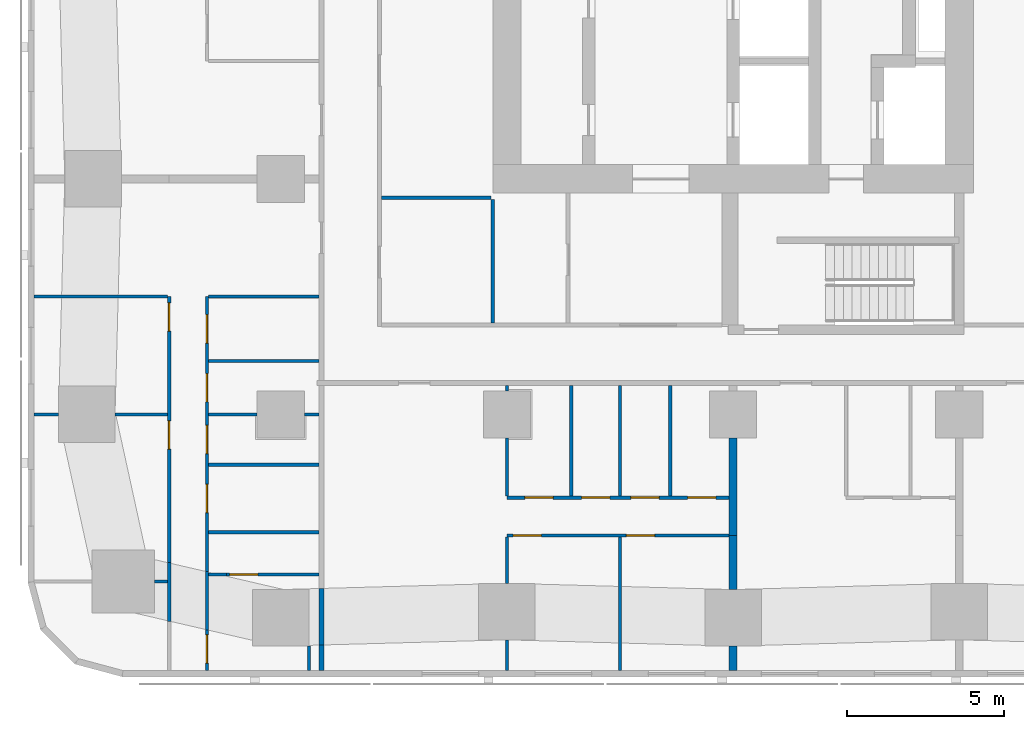
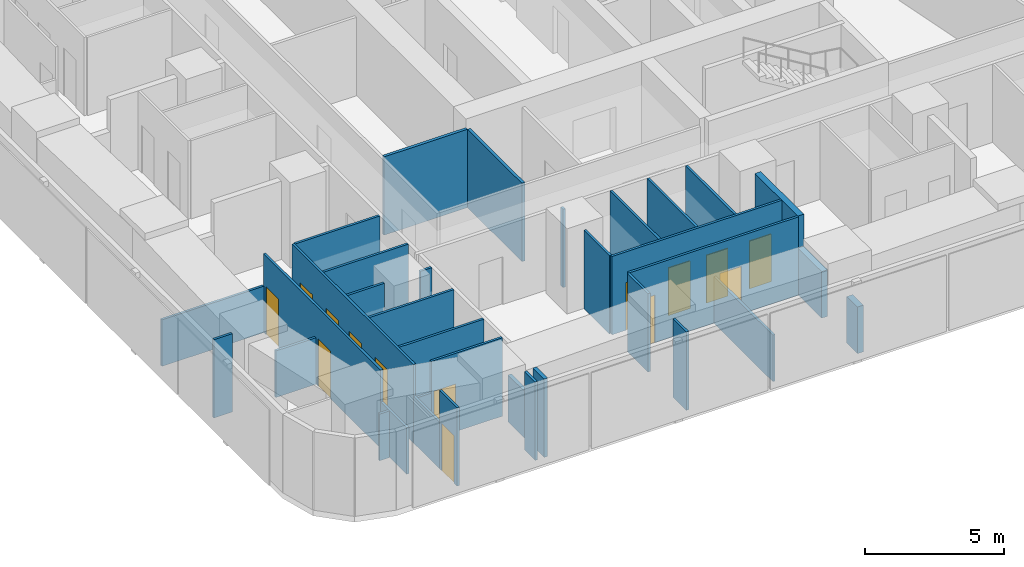
# One storey, part 2 of 15: 35 walls, 14 doors, 14 openings.
"""IFC4 building model written with IfcOpenShell, lengths in metres."""

from ifc_helpers import new_model, si_unit, direction, frame, frame_2d, origin, place, context, subcontext, project, spatial, rectangle, extrude, material, layer, layer_set, type_object, element, fill, save


model = new_model("IFC4")

# Units and contexts
model_context = context("Model", 3, precision=1e-05, world=origin(), true_north=direction((0.0, 1.0)))
body_context = subcontext(model_context, "Body", "Model", "MODEL_VIEW")
ifc_project = project(units=[si_unit("LENGTHUNIT", "METRE"), si_unit("AREAUNIT", "SQUARE_METRE"), si_unit("VOLUMEUNIT", "CUBIC_METRE"), si_unit("PLANEANGLEUNIT", "RADIAN"), si_unit("MASSUNIT", "GRAM", prefix="KILO")], contexts=[model_context])

# Site, building, storey
site_placement = place(None, origin())
site = spatial("IfcSite", under=ifc_project, at=site_placement, CompositionType="ELEMENT")
building_placement = place(site_placement, origin())
building = spatial("IfcBuilding", under=site, at=building_placement, Name="Sheger Commons Tower", CompositionType="ELEMENT")
storey_placement = place(building_placement, frame((0.0, 0.0, 184.550048828125)))
storey = spatial("IfcBuildingStorey", under=building, at=storey_placement, Name="L47", CompositionType="ELEMENT", Elevation=184.550048828125)

# Walls
ifc_material_1 = material(Name="Hollow concrete block masonry, skimmed both sides", Category="masonry")
ifc_layer_1 = layer(ifc_material_1, 0.14990234375)
ifc_layer_set_1 = layer_set([ifc_layer_1], Name="CORRIDOR WALL 150")
wall_type_1 = type_object("IfcWallType", Name="CORRIDOR WALL 150", PredefinedType="SOLIDWALL", material=ifc_layer_set_1)
wall_1_placement = place(storey_placement, frame((8.5, -0.64990234375, 0.0), z_axis=(0.0, 0.0, 1.0), x_axis=(0.0, 1.0, 0.0)))
element("IfcWall", 1, at=wall_1_placement, inside=storey, type_object=wall_type_1, Name="Corridor wall L47", PredefinedType="SOLIDWALL", context=body_context, shape_type="SweptSolid", body=[
    extrude(rectangle(XDim=0.808837890625, YDim=0.14990234375, at=frame_2d((0.404296875, 0.0))), origin(), (0.0, 0.0, 1.0), 3.449951171875),
])
wall_2_placement = place(storey_placement, frame((8.5, 0.158935546875, 0.0), z_axis=(0.0, 0.0, 1.0), x_axis=(0.0, 1.0, 0.0)))
element("IfcWall", 2, at=wall_2_placement, inside=storey, type_object=wall_type_1, Name="Corridor wall L47", PredefinedType="SOLIDWALL", context=body_context, shape_type="SweptSolid", body=[
    extrude(rectangle(XDim=1.80517578125, YDim=0.14990234375, at=frame_2d((0.902587890625, 0.0))), origin(), (0.0, 0.0, 1.0), 2.050048828125),
])
ifc_material_2 = material(Name="Dense concrete block masonry, plastered both sides (separating wall between flats)", Category="masonry")
ifc_layer_2 = layer(ifc_material_2, 0.25)
ifc_layer_set_2 = layer_set([ifc_layer_2], Name="DEMISING WALL 250")
wall_type_2 = type_object("IfcWallType", Name="DEMISING WALL 250", PredefinedType="SOLIDWALL", material=ifc_layer_set_2)
wall_3_placement = place(storey_placement, frame((21.60009765625, -0.64990234375, 0.0), z_axis=(0.0, 0.0, 1.0), x_axis=(0.0, 1.0, 0.0)))
element("IfcWall", 3, at=wall_3_placement, inside=storey, type_object=wall_type_2, Name="Demising wall L47", PredefinedType="SOLIDWALL", context=body_context, shape_type="SweptSolid", body=[
    extrude(rectangle(XDim=0.77392578125, YDim=0.25, at=frame_2d((0.386962890625, 0.0))), origin(), (0.0, 0.0, 1.0), 2.050048828125),
])
wall_4_placement = place(storey_placement, frame((21.60009765625, 1.926025390625, 0.0), z_axis=(0.0, 0.0, 1.0), x_axis=(0.0, 1.0, 0.0)))
element("IfcWall", 4, at=wall_4_placement, inside=storey, type_object=wall_type_2, Name="Demising wall L47", PredefinedType="SOLIDWALL", context=body_context, shape_type="SweptSolid", body=[
    extrude(rectangle(XDim=1.723876953125, YDim=0.25, at=frame_2d((0.86181640625, 0.0))), origin(), (0.0, 0.0, 1.0), 2.050048828125),
])
wall_5_placement = place(storey_placement, frame((21.60009765625, 3.64990234375, 0.0), z_axis=(0.0, 0.0, 1.0), x_axis=(0.0, 1.0, 0.0)))
element("IfcWall", 5, at=wall_5_placement, inside=storey, type_object=wall_type_2, Name="Demising wall L47", PredefinedType="SOLIDWALL", context=body_context, shape_type="SweptSolid", body=[
    extrude(rectangle(XDim=3.09912109375, YDim=0.25, at=frame_2d((1.549560546875, 0.0))), origin(), (0.0, 0.0, 1.0), 3.449951171875),
])
ifc_material_3 = material(Name="Gypsum board on steel studs", Category="steel")
ifc_layer_3 = layer(ifc_material_3, 0.10009765625)
ifc_layer_set_3 = layer_set([ifc_layer_3], Name="PARTITION 100")
wall_type_3 = type_object("IfcWallType", Name="PARTITION 100", PredefinedType="PARTITIONING", material=ifc_layer_set_3)
wall_6_placement = place(storey_placement, frame((8.10009765625, 0.1240234375, 0.0), z_axis=(0.0, 0.0, 1.0), x_axis=(0.0, -1.0, 0.0)))
element("IfcWall", 6, at=wall_6_placement, inside=storey, type_object=wall_type_3, Name="Partition L47", PredefinedType="PARTITIONING", context=body_context, shape_type="SweptSolid", body=[
    extrude(rectangle(XDim=0.77392578125, YDim=0.10009765625, at=frame_2d((0.386962890625, 0.0))), origin(), (0.0, 0.0, 1.0), 3.449951171875),
])
wall_7_placement = place(storey_placement, frame((3.64990234375, 0.912109375, 0.0), z_axis=(0.0, 0.0, 1.0), x_axis=(0.0, 1.0, 0.0)))
element("IfcWall", 7, at=wall_7_placement, inside=storey, type_object=wall_type_3, Name="Partition L47", PredefinedType="PARTITIONING", context=body_context, shape_type="SweptSolid", body=[
    extrude(rectangle(XDim=1.869873046875, YDim=0.10009765625, at=frame_2d((0.93505859375, 0.0))), origin(), (0.0, 0.0, 1.0), 2.050048828125),
])

# Wall, openings, doors
wall_8_placement = place(storey_placement, frame((3.64990234375, 2.781982421875, 0.0), z_axis=(0.0, 0.0, 1.0), x_axis=(0.0, 1.0, 0.0)))
wall_8 = element("IfcWall", 8, at=wall_8_placement, inside=storey, type_object=wall_type_3, Name="Partition L47", PredefinedType="PARTITIONING", context=body_context, shape_type="SweptSolid", body=[
    extrude(rectangle(XDim=8.468017578125, YDim=0.10009765625, at=frame_2d((4.23388671875, 0.0))), origin(), (0.0, 0.0, 1.0), 3.449951171875),
])
opening_1_placement = place(wall_8_placement, frame((7.367919921875, 0.0, 0.0)))
opening_1 = element("IfcOpeningElement", 9, at=opening_1_placement, cuts=wall_8, Name="Opening D2", PredefinedType="OPENING", context=body_context, shape_type="SweptSolid", body=[
    extrude(rectangle(XDim=0.89990234375, YDim=2.10009765625, at=frame_2d((0.449951171875, 1.050048828125))), frame((0.0, 0.06005859375, 0.0), z_axis=(0.0, -1.0, 0.0), x_axis=(1.0, 0.0, 0.0)), (0.0, 0.0, 1.0), 0.1201171875),
])
opening_2_placement = place(wall_8_placement, frame((3.617919921875, 0.0, 0.0)))
opening_2 = element("IfcOpeningElement", 10, at=opening_2_placement, cuts=wall_8, Name="Opening D2", PredefinedType="OPENING", context=body_context, shape_type="SweptSolid", body=[
    extrude(rectangle(XDim=0.89990234375, YDim=2.10009765625, at=frame_2d((0.449951171875, 1.050048828125))), frame((0.0, 0.06005859375, 0.0), z_axis=(0.0, -1.0, 0.0), x_axis=(1.0, 0.0, 0.0)), (0.0, 0.0, 1.0), 0.1201171875),
])
ifc_material_4 = material(Name="Timber door set", Category="wood")
door_type = type_object("IfcDoorType", Name="INTERNAL DOOR 900x2100", OperationType="NOTDEFINED", PredefinedType="DOOR", material=ifc_material_4)
door_1_placement = place(opening_1_placement, origin())
door_1 = element("IfcDoor", 11, at=door_1_placement, inside=storey, type_object=door_type, Name="Main bedroom door", OperationType="SINGLE_SWING_RIGHT", OverallHeight=2.10009765625, OverallWidth=0.89990234375, PredefinedType="DOOR", context=body_context, shape_type="SweptSolid", body=[
    extrude(rectangle(XDim=0.89990234375, YDim=2.10009765625, at=frame_2d((0.449951171875, 1.050048828125))), frame((0.0, 0.02490234375, 0.0), z_axis=(0.0, -1.0, 0.0), x_axis=(1.0, 0.0, 0.0)), (0.0, 0.0, 1.0), 0.050048828125),
])
fill(opening_1, door_1)
door_2_placement = place(opening_2_placement, origin())
door_2 = element("IfcDoor", 12, at=door_2_placement, inside=storey, type_object=door_type, Name="Bedroom 2 door", OperationType="SINGLE_SWING_RIGHT", OverallHeight=2.10009765625, OverallWidth=0.89990234375, PredefinedType="DOOR", context=body_context, shape_type="SweptSolid", body=[
    extrude(rectangle(XDim=0.89990234375, YDim=2.10009765625, at=frame_2d((0.449951171875, 1.050048828125))), frame((0.0, 0.02490234375, 0.0), z_axis=(0.0, -1.0, 0.0), x_axis=(1.0, 0.0, 0.0)), (0.0, 0.0, 1.0), 0.050048828125),
])
fill(opening_2, door_2)

# Wall, opening, door
wall_9_placement = place(storey_placement, frame((4.85009765625, -0.64990234375, 0.0), z_axis=(0.0, 0.0, 1.0), x_axis=(0.0, 1.0, 0.0)))
wall_9 = element("IfcWall", 13, at=wall_9_placement, inside=storey, type_object=wall_type_3, Name="Partition L47", PredefinedType="PARTITIONING", context=body_context, shape_type="SweptSolid", body=[
    extrude(rectangle(XDim=1.283935546875, YDim=0.10009765625, at=frame_2d((0.64208984375, 0.0))), origin(), (0.0, 0.0, 1.0), 3.449951171875),
])
opening_3_placement = place(wall_9_placement, frame((0.23388671875, 0.0, 0.0)))
opening_3 = element("IfcOpeningElement", 14, at=opening_3_placement, cuts=wall_9, Name="Opening D2", PredefinedType="OPENING", context=body_context, shape_type="SweptSolid", body=[
    extrude(rectangle(XDim=0.89990234375, YDim=2.10009765625, at=frame_2d((0.449951171875, 1.050048828125))), frame((0.0, 0.06005859375, 0.0), z_axis=(0.0, -1.0, 0.0), x_axis=(1.0, 0.0, 0.0)), (0.0, 0.0, 1.0), 0.1201171875),
])
door_3_placement = place(opening_3_placement, origin())
door_3 = element("IfcDoor", 15, at=door_3_placement, inside=storey, type_object=door_type, Name="Store and laundry door", OperationType="SINGLE_SWING_LEFT", OverallHeight=2.10009765625, OverallWidth=0.89990234375, PredefinedType="DOOR", context=body_context, shape_type="SweptSolid", body=[
    extrude(rectangle(XDim=0.89990234375, YDim=2.10009765625, at=frame_2d((0.449951171875, 1.050048828125))), frame((0.0, 0.02490234375, 0.0), z_axis=(0.0, -1.0, 0.0), x_axis=(1.0, 0.0, 0.0)), (0.0, 0.0, 1.0), 0.050048828125),
])
fill(opening_3, door_3)

# Wall
wall_10_placement = place(storey_placement, frame((4.85009765625, 0.634033203125, 0.0), z_axis=(0.0, 0.0, 1.0), x_axis=(0.0, 1.0, 0.0)))
element("IfcWall", 16, at=wall_10_placement, inside=storey, type_object=wall_type_3, Name="Partition L47", PredefinedType="PARTITIONING", context=body_context, shape_type="SweptSolid", body=[
    extrude(rectangle(XDim=1.870849609375, YDim=0.10009765625, at=frame_2d((0.935546875, 0.0))), origin(), (0.0, 0.0, 1.0), 2.050048828125),
])

# Wall, openings, doors
wall_11_placement = place(storey_placement, frame((4.85009765625, 2.5048828125, 0.0), z_axis=(0.0, 0.0, 1.0), x_axis=(0.0, 1.0, 0.0)))
wall_11 = element("IfcWall", 17, at=wall_11_placement, inside=storey, type_object=wall_type_3, Name="Partition L47", PredefinedType="PARTITIONING", context=body_context, shape_type="SweptSolid", body=[
    extrude(rectangle(XDim=8.7451171875, YDim=0.10009765625, at=frame_2d((4.37255859375, 0.0))), origin(), (0.0, 0.0, 1.0), 3.449951171875),
])
opening_4_placement = place(wall_11_placement, frame((7.27001953125, 0.0, 0.0)))
opening_4 = element("IfcOpeningElement", 18, at=opening_4_placement, cuts=wall_11, Name="Opening D2", PredefinedType="OPENING", context=body_context, shape_type="SweptSolid", body=[
    extrude(rectangle(XDim=0.89990234375, YDim=2.10009765625, at=frame_2d((0.449951171875, 1.050048828125))), frame((0.0, 0.06005859375, 0.0), z_axis=(0.0, -1.0, 0.0), x_axis=(1.0, 0.0, 0.0)), (0.0, 0.0, 1.0), 0.1201171875),
])
opening_5_placement = place(wall_11_placement, frame((3.7451171875, 0.0, 0.0)))
opening_5 = element("IfcOpeningElement", 19, at=opening_5_placement, cuts=wall_11, Name="Opening D2", PredefinedType="OPENING", context=body_context, shape_type="SweptSolid", body=[
    extrude(rectangle(XDim=0.89990234375, YDim=2.10009765625, at=frame_2d((0.449951171875, 1.050048828125))), frame((0.0, 0.06005859375, 0.0), z_axis=(0.0, -1.0, 0.0), x_axis=(1.0, 0.0, 0.0)), (0.0, 0.0, 1.0), 0.1201171875),
])
opening_6_placement = place(wall_11_placement, frame((5.39501953125, 0.0, 0.0)))
opening_6 = element("IfcOpeningElement", 20, at=opening_6_placement, cuts=wall_11, Name="Opening D2", PredefinedType="OPENING", context=body_context, shape_type="SweptSolid", body=[
    extrude(rectangle(XDim=0.89990234375, YDim=2.10009765625, at=frame_2d((0.449951171875, 1.050048828125))), frame((0.0, 0.06005859375, 0.0), z_axis=(0.0, -1.0, 0.0), x_axis=(1.0, 0.0, 0.0)), (0.0, 0.0, 1.0), 0.1201171875),
])
opening_7_placement = place(wall_11_placement, frame((1.8701171875, 0.0, 0.0)))
opening_7 = element("IfcOpeningElement", 21, at=opening_7_placement, cuts=wall_11, Name="Opening D2", PredefinedType="OPENING", context=body_context, shape_type="SweptSolid", body=[
    extrude(rectangle(XDim=0.89990234375, YDim=2.10009765625, at=frame_2d((0.449951171875, 1.050048828125))), frame((0.0, 0.06005859375, 0.0), z_axis=(0.0, -1.0, 0.0), x_axis=(1.0, 0.0, 0.0)), (0.0, 0.0, 1.0), 0.1201171875),
])
door_4_placement = place(opening_4_placement, origin())
door_4 = element("IfcDoor", 22, at=door_4_placement, inside=storey, type_object=door_type, Name="Bathroom door", OperationType="SINGLE_SWING_LEFT", OverallHeight=2.10009765625, OverallWidth=0.89990234375, PredefinedType="DOOR", context=body_context, shape_type="SweptSolid", body=[
    extrude(rectangle(XDim=0.89990234375, YDim=2.10009765625, at=frame_2d((0.449951171875, 1.050048828125))), frame((0.0, 0.02490234375, 0.0), z_axis=(0.0, -1.0, 0.0), x_axis=(1.0, 0.0, 0.0)), (0.0, 0.0, 1.0), 0.050048828125),
])
fill(opening_4, door_4)
door_5_placement = place(opening_5_placement, origin())
door_5 = element("IfcDoor", 23, at=door_5_placement, inside=storey, type_object=door_type, Name="Shower room door", OperationType="SINGLE_SWING_LEFT", OverallHeight=2.10009765625, OverallWidth=0.89990234375, PredefinedType="DOOR", context=body_context, shape_type="SweptSolid", body=[
    extrude(rectangle(XDim=0.89990234375, YDim=2.10009765625, at=frame_2d((0.449951171875, 1.050048828125))), frame((0.0, 0.02490234375, 0.0), z_axis=(0.0, -1.0, 0.0), x_axis=(1.0, 0.0, 0.0)), (0.0, 0.0, 1.0), 0.050048828125),
])
fill(opening_5, door_5)
door_6_placement = place(opening_6_placement, origin())
door_6 = element("IfcDoor", 24, at=door_6_placement, inside=storey, type_object=door_type, Name="Store door", OperationType="SINGLE_SWING_RIGHT", OverallHeight=2.10009765625, OverallWidth=0.89990234375, PredefinedType="DOOR", context=body_context, shape_type="SweptSolid", body=[
    extrude(rectangle(XDim=0.89990234375, YDim=2.10009765625, at=frame_2d((0.449951171875, 1.050048828125))), frame((0.0, 0.02490234375, 0.0), z_axis=(0.0, -1.0, 0.0), x_axis=(1.0, 0.0, 0.0)), (0.0, 0.0, 1.0), 0.050048828125),
])
fill(opening_6, door_6)
door_7_placement = place(opening_7_placement, origin())
door_7 = element("IfcDoor", 25, at=door_7_placement, inside=storey, type_object=door_type, Name="Store door", OperationType="SINGLE_SWING_RIGHT", OverallHeight=2.10009765625, OverallWidth=0.89990234375, PredefinedType="DOOR", context=body_context, shape_type="SweptSolid", body=[
    extrude(rectangle(XDim=0.89990234375, YDim=2.10009765625, at=frame_2d((0.449951171875, 1.050048828125))), frame((0.0, 0.02490234375, 0.0), z_axis=(0.0, -1.0, 0.0), x_axis=(1.0, 0.0, 0.0)), (0.0, 0.0, 1.0), 0.050048828125),
])
fill(opening_7, door_7)

# Walls
wall_12_placement = place(storey_placement, frame((3.18701171875, 2.18603515625, 0.0), z_axis=(0.0, 0.0, 1.0), x_axis=(1.0, 0.0, 0.0)))
element("IfcWall", 26, at=wall_12_placement, inside=storey, type_object=wall_type_3, Name="Partition L47", PredefinedType="PARTITIONING", context=body_context, shape_type="SweptSolid", body=[
    extrude(rectangle(XDim=0.4130859375, YDim=0.10009765625, at=frame_2d((0.20654296875, 0.0))), origin(), (0.0, 0.0, 1.0), 2.050048828125),
])
wall_13_placement = place(storey_placement, frame((-0.64990234375, 7.5, 0.0), z_axis=(0.0, 0.0, 1.0), x_axis=(1.0, 0.0, 0.0)))
element("IfcWall", 27, at=wall_13_placement, inside=storey, type_object=wall_type_3, Name="Partition L47", PredefinedType="PARTITIONING", context=body_context, shape_type="SweptSolid", body=[
    extrude(rectangle(XDim=0.77392578125, YDim=0.10009765625, at=frame_2d((0.386962890625, 0.0))), origin(), (0.0, 0.0, 1.0), 3.449951171875),
])
wall_14_placement = place(storey_placement, frame((1.926025390625, 7.5, 0.0), z_axis=(0.0, 0.0, 1.0), x_axis=(1.0, 0.0, 0.0)))
element("IfcWall", 28, at=wall_14_placement, inside=storey, type_object=wall_type_3, Name="Partition L47", PredefinedType="PARTITIONING", context=body_context, shape_type="SweptSolid", body=[
    extrude(rectangle(XDim=1.674072265625, YDim=0.10009765625, at=frame_2d((0.8369140625, 0.0))), origin(), (0.0, 0.0, 1.0), 2.050048828125),
])
wall_15_placement = place(storey_placement, frame((-0.64990234375, 11.25, 0.0), z_axis=(0.0, 0.0, 1.0), x_axis=(1.0, 0.0, 0.0)))
element("IfcWall", 29, at=wall_15_placement, inside=storey, type_object=wall_type_3, Name="Partition L47", PredefinedType="PARTITIONING", context=body_context, shape_type="SweptSolid", body=[
    extrude(rectangle(XDim=4.25, YDim=0.10009765625, at=frame_2d((2.125, 0.0))), origin(), (0.0, 0.0, 1.0), 2.050048828125),
])
wall_16_placement = place(storey_placement, frame((4.89990234375, 3.75, 0.0), z_axis=(0.0, 0.0, 1.0), x_axis=(1.0, 0.0, 0.0)))
element("IfcWall", 30, at=wall_16_placement, inside=storey, type_object=wall_type_3, Name="Partition L47", PredefinedType="PARTITIONING", context=body_context, shape_type="SweptSolid", body=[
    extrude(rectangle(XDim=3.525146484375, YDim=0.10009765625, at=frame_2d((1.7626953125, 0.0))), origin(), (0.0, 0.0, 1.0), 3.449951171875),
])
wall_17_placement = place(storey_placement, frame((4.89990234375, 7.5, 0.0), z_axis=(0.0, 0.0, 1.0), x_axis=(1.0, 0.0, 0.0)))
element("IfcWall", 31, at=wall_17_placement, inside=storey, type_object=wall_type_3, Name="Partition L47", PredefinedType="PARTITIONING", context=body_context, shape_type="SweptSolid", body=[
    extrude(rectangle(XDim=1.549072265625, YDim=0.10009765625, at=frame_2d((0.7744140625, 0.0))), origin(), (0.0, 0.0, 1.0), 3.449951171875),
])
wall_18_placement = place(storey_placement, frame((7.950927734375, 7.5, 0.0), z_axis=(0.0, 0.0, 1.0), x_axis=(1.0, 0.0, 0.0)))
element("IfcWall", 32, at=wall_18_placement, inside=storey, type_object=wall_type_3, Name="Partition L47", PredefinedType="PARTITIONING", context=body_context, shape_type="SweptSolid", body=[
    extrude(rectangle(XDim=0.47412109375, YDim=0.10009765625, at=frame_2d((0.237060546875, 0.0))), origin(), (0.0, 0.0, 1.0), 3.449951171875),
])
for number, where, z_axis, x_axis, name in (
    (33, (4.89990234375, 11.25, 0.0), (0.0, 0.0, 1.0), (1.0, 0.0, 0.0), "Partition L47"),
    (34, (4.89990234375, 9.199951171875, 0.0), (0.0, 0.0, 1.0), (1.0, 0.0, 0.0), "Partition L47"),
    (35, (4.89990234375, 5.89990234375, 0.0), (0.0, 0.0, 1.0), (1.0, 0.0, 0.0), "Partition L47"),
):
    element("IfcWall", number, at=place(storey_placement, frame(where, z_axis=z_axis, x_axis=x_axis)), inside=storey, type_object=wall_type_3, Name=name, PredefinedType="PARTITIONING", context=body_context, shape_type="SweptSolid", body=[
        extrude(rectangle(XDim=3.525146484375, YDim=0.10009765625, at=frame_2d((1.7626953125, 0.0))), origin(), (0.0, 0.0, 1.0), 3.449951171875),
    ])

# Wall, openings, doors
wall_19_placement = place(storey_placement, frame((21.47509765625, 3.64990234375, 0.0), z_axis=(0.0, 0.0, 1.0), x_axis=(-1.0, 0.0, 0.0)))
wall_19 = element("IfcWall", 36, at=wall_19_placement, inside=storey, type_object=wall_type_3, Name="Partition L47", PredefinedType="PARTITIONING", context=body_context, shape_type="SweptSolid", body=[
    extrude(rectangle(XDim=7.0751953125, YDim=0.10009765625, at=frame_2d((3.53759765625, 0.0))), origin(), (0.0, 0.0, 1.0), 3.449951171875),
])
opening_8_placement = place(wall_19_placement, frame((5.97509765625, 0.0, 0.0)))
opening_8 = element("IfcOpeningElement", 37, at=opening_8_placement, cuts=wall_19, Name="Opening D2", PredefinedType="OPENING", context=body_context, shape_type="SweptSolid", body=[
    extrude(rectangle(XDim=0.89990234375, YDim=2.10009765625, at=frame_2d((0.449951171875, 1.050048828125))), frame((0.0, 0.06005859375, 0.0), z_axis=(0.0, -1.0, 0.0), x_axis=(1.0, 0.0, 0.0)), (0.0, 0.0, 1.0), 0.1201171875),
])
opening_9_placement = place(wall_19_placement, frame((2.375, 0.0, 0.0)))
opening_9 = element("IfcOpeningElement", 38, at=opening_9_placement, cuts=wall_19, Name="Opening D2", PredefinedType="OPENING", context=body_context, shape_type="SweptSolid", body=[
    extrude(rectangle(XDim=0.89990234375, YDim=2.10009765625, at=frame_2d((0.449951171875, 1.050048828125))), frame((0.0, 0.06005859375, 0.0), z_axis=(0.0, -1.0, 0.0), x_axis=(1.0, 0.0, 0.0)), (0.0, 0.0, 1.0), 0.1201171875),
])
door_8_placement = place(opening_8_placement, origin())
door_8 = element("IfcDoor", 39, at=door_8_placement, inside=storey, type_object=door_type, Name="Main bedroom door", OperationType="SINGLE_SWING_RIGHT", OverallHeight=2.10009765625, OverallWidth=0.89990234375, PredefinedType="DOOR", context=body_context, shape_type="SweptSolid", body=[
    extrude(rectangle(XDim=0.89990234375, YDim=2.10009765625, at=frame_2d((0.449951171875, 1.050048828125))), frame((0.0, 0.02490234375, 0.0), z_axis=(0.0, -1.0, 0.0), x_axis=(1.0, 0.0, 0.0)), (0.0, 0.0, 1.0), 0.050048828125),
])
fill(opening_8, door_8)
door_9_placement = place(opening_9_placement, origin())
door_9 = element("IfcDoor", 40, at=door_9_placement, inside=storey, type_object=door_type, Name="Bedroom 2 door", OperationType="SINGLE_SWING_RIGHT", OverallHeight=2.10009765625, OverallWidth=0.89990234375, PredefinedType="DOOR", context=body_context, shape_type="SweptSolid", body=[
    extrude(rectangle(XDim=0.89990234375, YDim=2.10009765625, at=frame_2d((0.449951171875, 1.050048828125))), frame((0.0, 0.02490234375, 0.0), z_axis=(0.0, -1.0, 0.0), x_axis=(1.0, 0.0, 0.0)), (0.0, 0.0, 1.0), 0.050048828125),
])
fill(opening_9, door_9)

wall_20_placement = place(storey_placement, frame((21.47509765625, 4.85009765625, 0.0), z_axis=(0.0, 0.0, 1.0), x_axis=(-1.0, 0.0, 0.0)))
wall_20 = element("IfcWall", 41, at=wall_20_placement, inside=storey, type_object=wall_type_3, Name="Partition L47", PredefinedType="PARTITIONING", context=body_context, shape_type="SweptSolid", body=[
    extrude(rectangle(XDim=7.0751953125, YDim=0.10009765625, at=frame_2d((3.53759765625, 0.0))), origin(), (0.0, 0.0, 1.0), 3.449951171875),
])
opening_10_placement = place(wall_20_placement, frame((5.60009765625, 0.0, 0.0)))
opening_10 = element("IfcOpeningElement", 42, at=opening_10_placement, cuts=wall_20, Name="Opening D2", PredefinedType="OPENING", context=body_context, shape_type="SweptSolid", body=[
    extrude(rectangle(XDim=0.89990234375, YDim=2.10009765625, at=frame_2d((0.449951171875, 1.050048828125))), frame((0.0, 0.06005859375, 0.0), z_axis=(0.0, -1.0, 0.0), x_axis=(1.0, 0.0, 0.0)), (0.0, 0.0, 1.0), 0.1201171875),
])
opening_11_placement = place(wall_20_placement, frame((2.22509765625, 0.0, 0.0)))
opening_11 = element("IfcOpeningElement", 43, at=opening_11_placement, cuts=wall_20, Name="Opening D2", PredefinedType="OPENING", context=body_context, shape_type="SweptSolid", body=[
    extrude(rectangle(XDim=0.89990234375, YDim=2.10009765625, at=frame_2d((0.449951171875, 1.050048828125))), frame((0.0, 0.06005859375, 0.0), z_axis=(0.0, -1.0, 0.0), x_axis=(1.0, 0.0, 0.0)), (0.0, 0.0, 1.0), 0.1201171875),
])
opening_12_placement = place(wall_20_placement, frame((3.800048828125, 0.0, 0.0)))
opening_12 = element("IfcOpeningElement", 44, at=opening_12_placement, cuts=wall_20, Name="Opening D2", PredefinedType="OPENING", context=body_context, shape_type="SweptSolid", body=[
    extrude(rectangle(XDim=0.89990234375, YDim=2.10009765625, at=frame_2d((0.449951171875, 1.050048828125))), frame((0.0, 0.06005859375, 0.0), z_axis=(0.0, -1.0, 0.0), x_axis=(1.0, 0.0, 0.0)), (0.0, 0.0, 1.0), 0.1201171875),
])
opening_13_placement = place(wall_20_placement, frame((0.425048828125, 0.0, 0.0)))
opening_13 = element("IfcOpeningElement", 45, at=opening_13_placement, cuts=wall_20, Name="Opening D2", PredefinedType="OPENING", context=body_context, shape_type="SweptSolid", body=[
    extrude(rectangle(XDim=0.89990234375, YDim=2.10009765625, at=frame_2d((0.449951171875, 1.050048828125))), frame((0.0, 0.06005859375, 0.0), z_axis=(0.0, -1.0, 0.0), x_axis=(1.0, 0.0, 0.0)), (0.0, 0.0, 1.0), 0.1201171875),
])
door_10_placement = place(opening_10_placement, origin())
door_10 = element("IfcDoor", 46, at=door_10_placement, inside=storey, type_object=door_type, Name="Bathroom door", OperationType="SINGLE_SWING_LEFT", OverallHeight=2.10009765625, OverallWidth=0.89990234375, PredefinedType="DOOR", context=body_context, shape_type="SweptSolid", body=[
    extrude(rectangle(XDim=0.89990234375, YDim=2.10009765625, at=frame_2d((0.449951171875, 1.050048828125))), frame((0.0, 0.02490234375, 0.0), z_axis=(0.0, -1.0, 0.0), x_axis=(1.0, 0.0, 0.0)), (0.0, 0.0, 1.0), 0.050048828125),
])
fill(opening_10, door_10)
door_11_placement = place(opening_11_placement, origin())
door_11 = element("IfcDoor", 47, at=door_11_placement, inside=storey, type_object=door_type, Name="Shower room door", OperationType="SINGLE_SWING_RIGHT", OverallHeight=2.10009765625, OverallWidth=0.89990234375, PredefinedType="DOOR", context=body_context, shape_type="SweptSolid", body=[
    extrude(rectangle(XDim=0.89990234375, YDim=2.10009765625, at=frame_2d((0.449951171875, 1.050048828125))), frame((0.0, 0.02490234375, 0.0), z_axis=(0.0, -1.0, 0.0), x_axis=(1.0, 0.0, 0.0)), (0.0, 0.0, 1.0), 0.050048828125),
])
fill(opening_11, door_11)
door_12_placement = place(opening_12_placement, origin())
door_12 = element("IfcDoor", 48, at=door_12_placement, inside=storey, type_object=door_type, Name="Store door", OperationType="SINGLE_SWING_RIGHT", OverallHeight=2.10009765625, OverallWidth=0.89990234375, PredefinedType="DOOR", context=body_context, shape_type="SweptSolid", body=[
    extrude(rectangle(XDim=0.89990234375, YDim=2.10009765625, at=frame_2d((0.449951171875, 1.050048828125))), frame((0.0, 0.02490234375, 0.0), z_axis=(0.0, -1.0, 0.0), x_axis=(1.0, 0.0, 0.0)), (0.0, 0.0, 1.0), 0.050048828125),
])
fill(opening_12, door_12)
door_13_placement = place(opening_13_placement, origin())
door_13 = element("IfcDoor", 49, at=door_13_placement, inside=storey, type_object=door_type, Name="Store door", OperationType="SINGLE_SWING_RIGHT", OverallHeight=2.10009765625, OverallWidth=0.89990234375, PredefinedType="DOOR", context=body_context, shape_type="SweptSolid", body=[
    extrude(rectangle(XDim=0.89990234375, YDim=2.10009765625, at=frame_2d((0.449951171875, 1.050048828125))), frame((0.0, 0.02490234375, 0.0), z_axis=(0.0, -1.0, 0.0), x_axis=(1.0, 0.0, 0.0)), (0.0, 0.0, 1.0), 0.050048828125),
])
fill(opening_13, door_13)

# Walls
wall_21_placement = place(storey_placement, frame((14.39990234375, -0.64990234375, 0.0), z_axis=(0.0, 0.0, 1.0), x_axis=(0.0, 1.0, 0.0)))
element("IfcWall", 50, at=wall_21_placement, inside=storey, type_object=wall_type_3, Name="Partition L47", PredefinedType="PARTITIONING", context=body_context, shape_type="SweptSolid", body=[
    extrude(rectangle(XDim=0.973876953125, YDim=0.10009765625, at=frame_2d((0.48681640625, 0.0))), origin(), (0.0, 0.0, 1.0), 3.449951171875),
])
wall_22_placement = place(storey_placement, frame((14.39990234375, 2.1259765625, 0.0), z_axis=(0.0, 0.0, 1.0), x_axis=(0.0, 1.0, 0.0)))
element("IfcWall", 51, at=wall_22_placement, inside=storey, type_object=wall_type_3, Name="Partition L47", PredefinedType="PARTITIONING", context=body_context, shape_type="SweptSolid", body=[
    extrude(rectangle(XDim=1.47412109375, YDim=0.10009765625, at=frame_2d((0.737060546875, 0.0))), origin(), (0.0, 0.0, 1.0), 3.449951171875),
])
wall_23_placement = place(storey_placement, frame((18.0, -0.64990234375, 0.0), z_axis=(0.0, 0.0, 1.0), x_axis=(0.0, 1.0, 0.0)))
element("IfcWall", 52, at=wall_23_placement, inside=storey, type_object=wall_type_3, Name="Partition L47", PredefinedType="PARTITIONING", context=body_context, shape_type="SweptSolid", body=[
    extrude(rectangle(XDim=4.25, YDim=0.10009765625, at=frame_2d((2.125, 0.0))), origin(), (0.0, 0.0, 1.0), 2.050048828125),
])
wall_24_placement = place(storey_placement, frame((14.39990234375, 4.89990234375, 0.0), z_axis=(0.0, 0.0, 1.0), x_axis=(0.0, 1.0, 0.0)))
element("IfcWall", 53, at=wall_24_placement, inside=storey, type_object=wall_type_3, Name="Partition L47", PredefinedType="PARTITIONING", context=body_context, shape_type="SweptSolid", body=[
    extrude(rectangle(XDim=1.84912109375, YDim=0.10009765625, at=frame_2d((0.924560546875, 0.0))), origin(), (0.0, 0.0, 1.0), 3.449951171875),
])
wall_25_placement = place(storey_placement, frame((14.39990234375, 8.2509765625, 0.0), z_axis=(0.0, 0.0, 1.0), x_axis=(0.0, 1.0, 0.0)))
element("IfcWall", 54, at=wall_25_placement, inside=storey, type_object=wall_type_3, Name="Partition L47", PredefinedType="PARTITIONING", context=body_context, shape_type="SweptSolid", body=[
    extrude(rectangle(XDim=0.174072265625, YDim=0.10009765625, at=frame_2d((0.0869140625, 0.0))), origin(), (0.0, 0.0, 1.0), 3.449951171875),
])
for number, where, z_axis, x_axis, name in (
    (55, (18.0, 4.89990234375, 0.0), (0.0, 0.0, 1.0), (0.0, 1.0, 0.0), "Partition L47"),
    (56, (16.449951171875, 4.89990234375, 0.0), (0.0, 0.0, 1.0), (0.0, 1.0, 0.0), "Partition L47"),
    (57, (19.60009765625, 4.89990234375, 0.0), (0.0, 0.0, 1.0), (0.0, 1.0, 0.0), "Partition L47"),
):
    element("IfcWall", number, at=place(storey_placement, frame(where, z_axis=z_axis, x_axis=x_axis)), inside=storey, type_object=wall_type_3, Name=name, PredefinedType="PARTITIONING", context=body_context, shape_type="SweptSolid", body=[
        extrude(rectangle(XDim=3.525146484375, YDim=0.10009765625, at=frame_2d((1.7626953125, 0.0))), origin(), (0.0, 0.0, 1.0), 3.449951171875),
    ])

# Wall, opening, door
wall_26_placement = place(storey_placement, frame((5.467041015625, 2.39990234375, 0.0), z_axis=(0.0, 0.0, 1.0), x_axis=(1.0, 0.0, 0.0)))
wall_26 = element("IfcWall", 58, at=wall_26_placement, inside=storey, type_object=wall_type_3, Name="Partition L47", PredefinedType="PARTITIONING", context=body_context, shape_type="SweptSolid", body=[
    extrude(rectangle(XDim=2.9580078125, YDim=0.10009765625, at=frame_2d((1.47900390625, 0.0))), origin(), (0.0, 0.0, 1.0), 3.449951171875),
])
opening_14_placement = place(wall_26_placement, frame((0.10791015625, 0.0, 0.0)))
opening_14 = element("IfcOpeningElement", 59, at=opening_14_placement, cuts=wall_26, Name="Opening D2", PredefinedType="OPENING", context=body_context, shape_type="SweptSolid", body=[
    extrude(rectangle(XDim=0.89990234375, YDim=2.10009765625, at=frame_2d((0.449951171875, 1.050048828125))), frame((0.0, 0.06005859375, 0.0), z_axis=(0.0, -1.0, 0.0), x_axis=(1.0, 0.0, 0.0)), (0.0, 0.0, 1.0), 0.1201171875),
])
door_14_placement = place(opening_14_placement, origin())
door_14 = element("IfcDoor", 60, at=door_14_placement, inside=storey, type_object=door_type, Name="Store door", OperationType="SINGLE_SWING_LEFT", OverallHeight=2.10009765625, OverallWidth=0.89990234375, PredefinedType="DOOR", context=body_context, shape_type="SweptSolid", body=[
    extrude(rectangle(XDim=0.89990234375, YDim=2.10009765625, at=frame_2d((0.449951171875, 1.050048828125))), frame((0.0, 0.02490234375, 0.0), z_axis=(0.0, -1.0, 0.0), x_axis=(1.0, 0.0, 0.0)), (0.0, 0.0, 1.0), 0.050048828125),
])
fill(opening_14, door_14)

# Walls
wall_27_placement = place(storey_placement, frame((5.467041015625, 2.39990234375, 0.0), z_axis=(0.0, 0.0, 1.0), x_axis=(-1.0, 0.0, 0.0)))
element("IfcWall", 61, at=wall_27_placement, inside=storey, type_object=wall_type_3, Name="Partition L47", PredefinedType="PARTITIONING", context=body_context, shape_type="SweptSolid", body=[
    extrude(rectangle(XDim=0.567138671875, YDim=0.10009765625, at=frame_2d((0.28369140625, 0.0))), origin(), (0.0, 0.0, 1.0), 2.050048828125),
])
ifc_material_5 = material(Name="Gypsum board on steel studs, two layers each side, fire rated", Category="steel")
ifc_layer_4 = layer(ifc_material_5, 0.125)
ifc_layer_set_4 = layer_set([ifc_layer_4], Name="SERVICE WALL 125")
wall_type_4 = type_object("IfcWallType", Name="SERVICE WALL 125", PredefinedType="PARTITIONING", material=ifc_layer_set_4)
wall_28_placement = place(storey_placement, frame((10.4130859375, 14.39990234375, 0.0), z_axis=(0.0, 0.0, 1.0), x_axis=(1.0, 0.0, 0.0)))
element("IfcWall", 62, at=wall_28_placement, inside=storey, type_object=wall_type_4, Name="Service room wall L47", PredefinedType="PARTITIONING", context=body_context, shape_type="SweptSolid", body=[
    extrude(rectangle(XDim=3.474853515625, YDim=0.125, at=frame_2d((1.7373046875, 0.0))), origin(), (0.0, 0.0, 1.0), 3.449951171875),
])
wall_29_placement = place(storey_placement, frame((13.949951171875, 10.4130859375, 0.0), z_axis=(0.0, 0.0, 1.0), x_axis=(0.0, 1.0, 0.0)))
element("IfcWall", 63, at=wall_29_placement, inside=storey, type_object=wall_type_4, Name="Service room wall L47", PredefinedType="PARTITIONING", context=body_context, shape_type="SweptSolid", body=[
    extrude(rectangle(XDim=3.9248046875, YDim=0.125, at=frame_2d((1.96240234375, 0.0))), origin(), (0.0, 0.0, 1.0), 3.449951171875),
])

save(model, "model.ifc")
